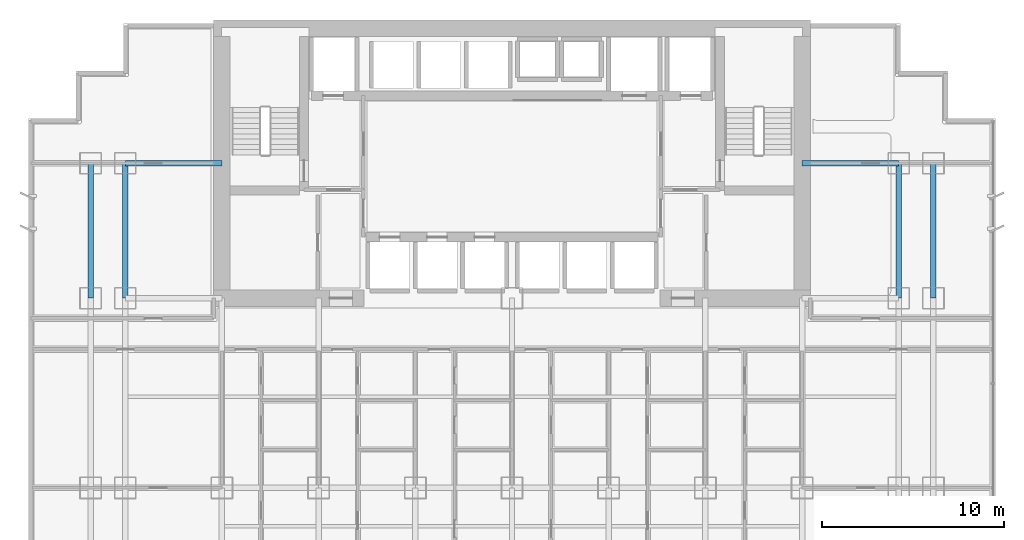
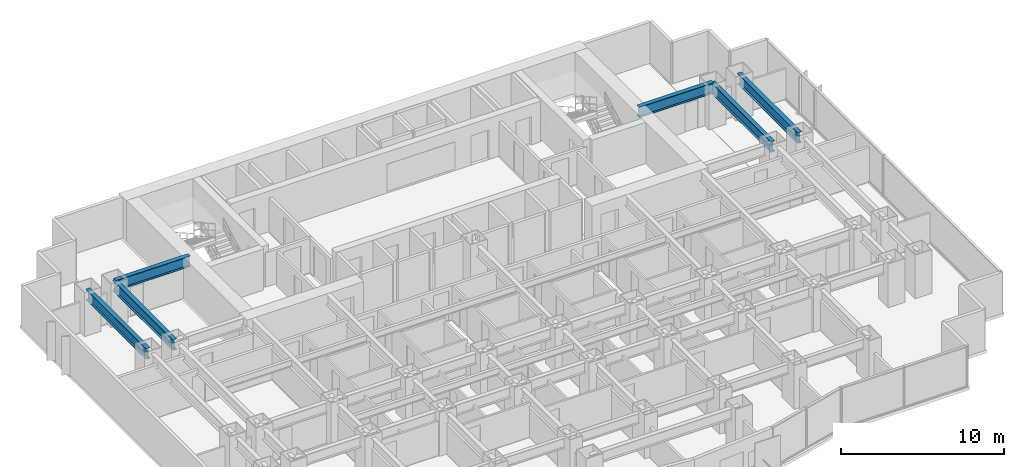
# One storey, part 4 of 12: 6 beams.
"""IFC4 building model written with IfcOpenShell, lengths in metres."""

from ifc_helpers import new_model, si_unit, direction, frame, origin, origin_2d, place, context, subcontext, project, spatial, i_section, extrude, material, material_profile, profile_set, type_object, element, save


model = new_model("IFC4")

# Units and contexts
model_context = context("Model", 3, precision=1e-05, world=origin(), true_north=direction((0.0, 1.0)))
body_context = subcontext(model_context, "Body", "Model", "MODEL_VIEW")
ifc_project = project(units=[si_unit("LENGTHUNIT", "METRE"), si_unit("AREAUNIT", "SQUARE_METRE"), si_unit("VOLUMEUNIT", "CUBIC_METRE"), si_unit("PLANEANGLEUNIT", "RADIAN"), si_unit("MASSUNIT", "GRAM", prefix="KILO")], contexts=[model_context])

# Site, building, storey
site_placement = place(None, origin())
site = spatial("IfcSite", under=ifc_project, at=site_placement, CompositionType="ELEMENT")
building_placement = place(site_placement, origin())
building = spatial("IfcBuilding", under=site, at=building_placement, Name="Qianlan Lanfeng Residences", CompositionType="ELEMENT")
storey_placement = place(building_placement, frame((0.0, 0.0, 27.5)))
storey = spatial("IfcBuildingStorey", under=building, at=storey_placement, Name="L06", CompositionType="ELEMENT", Elevation=27.5)

# Beams
ifc_material = material(Name="Steel SN490B", Category="steel")
ifc_material_profile = material_profile(ifc_material, i_section(OverallWidth=0.300048828125, OverallDepth=0.800048828125, WebThickness=0.01611328125, FlangeThickness=0.028076171875, at=origin_2d()), Name="H 800x300x16x28")
ifc_profile_set = profile_set([ifc_material_profile], Name="Steel SN490B")
beam_type = type_object("IfcBeamType", Name="G-950", PredefinedType="BEAM", material=ifc_profile_set)
for number, where, z_axis, x_axis, name in (
    (1, (5.300048828125, 32.60009765625, 2.679931640625), (1.0, 0.0, 0.0), (0.0, 1.0, 0.0), "Structural beam G-950"),
    (2, (42.39990234375, 32.60009765625, 2.679931640625), (1.0, 0.0, 0.0), (0.0, 1.0, 0.0), "Structural beam G-950"),
):
    element("IfcBeam", number, at=place(storey_placement, frame(where, z_axis=z_axis, x_axis=x_axis)), inside=storey, type_object=beam_type, Name=name, PredefinedType="BEAM", context=body_context, shape_type="SweptSolid", body=[
        extrude(i_section(OverallWidth=0.300048828125, OverallDepth=0.800048828125, WebThickness=0.01611328125, FlangeThickness=0.028076171875, at=origin_2d()), origin(), (0.0, 0.0, 1.0), 5.300048828125),
    ])
for number, where, z_axis, x_axis, name in (
    (3, (3.39990234375, 25.199951171875, 2.679931640625), (0.0, 1.0, 0.0), (-1.0, 0.0, 0.0), "Structural beam G-950"),
    (4, (5.300048828125, 25.199951171875, 2.679931640625), (0.0, 1.0, 0.0), (-1.0, 0.0, 0.0), "Structural beam G-950"),
    (5, (47.699951171875, 25.199951171875, 2.679931640625), (0.0, 1.0, 0.0), (-1.0, 0.0, 0.0), "Structural beam G-950"),
    (6, (49.60009765625, 25.199951171875, 2.679931640625), (0.0, 1.0, 0.0), (-1.0, 0.0, 0.0), "Structural beam G-950"),
):
    element("IfcBeam", number, at=place(storey_placement, frame(where, z_axis=z_axis, x_axis=x_axis)), inside=storey, type_object=beam_type, Name=name, PredefinedType="BEAM", context=body_context, shape_type="SweptSolid", body=[
        extrude(i_section(OverallWidth=0.300048828125, OverallDepth=0.800048828125, WebThickness=0.01611328125, FlangeThickness=0.028076171875, at=origin_2d()), origin(), (0.0, 0.0, 1.0), 7.400146484375),
    ])

save(model, "model.ifc")
